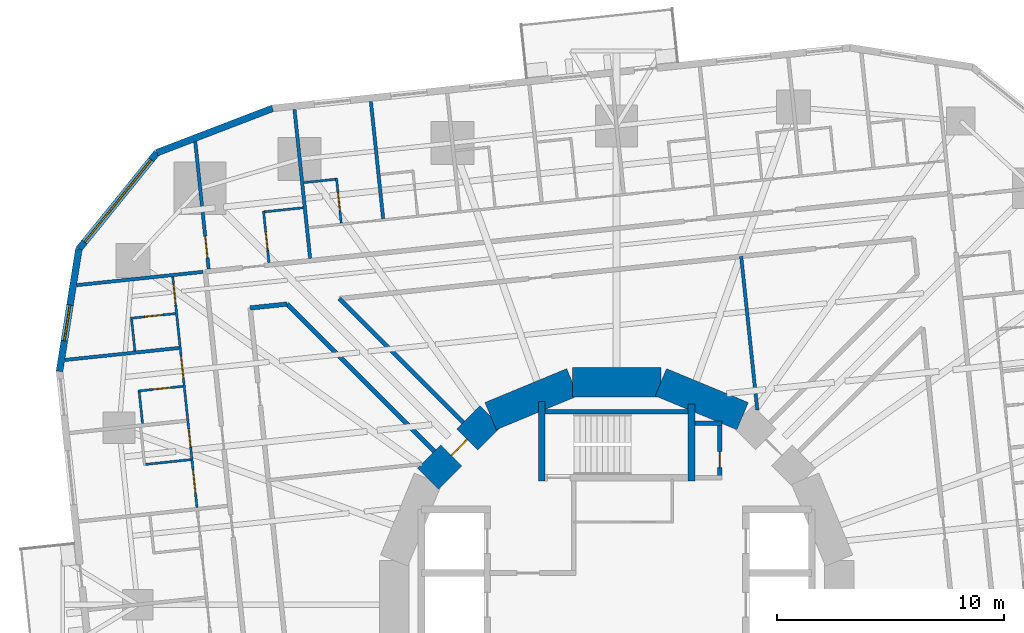
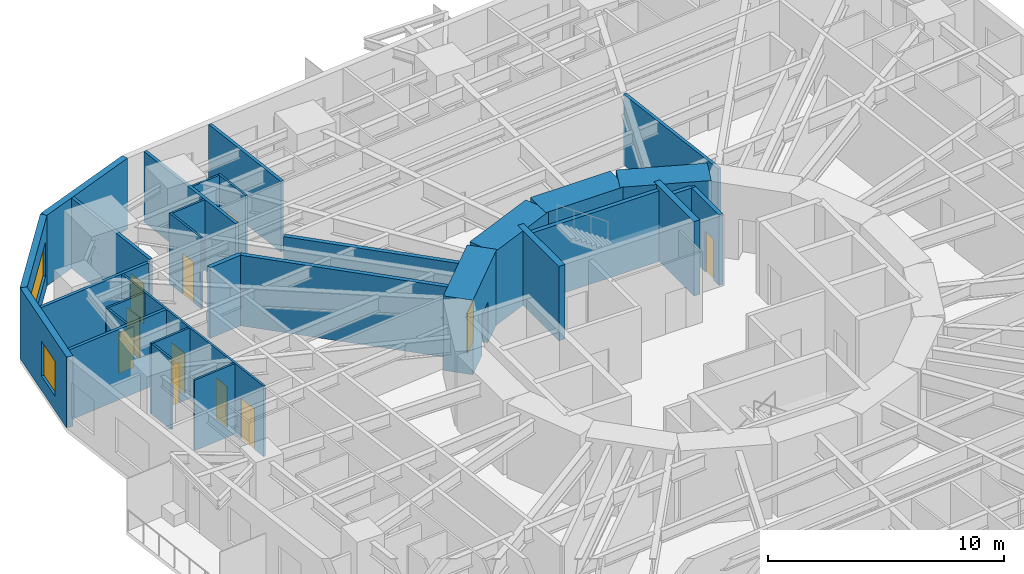
# One storey, part 10 of 15: 31 walls, 11 doors, 2 windows, 13 openings.
"""IFC4 building model written with IfcOpenShell, lengths in metres."""

from ifc_helpers import new_model, si_unit, direction, frame, frame_2d, origin, place, context, subcontext, project, spatial, rectangle, extrude, material, layer, layer_set, type_object, element, fill, save


model = new_model("IFC4")

# Units and contexts
model_context = context("Model", 3, precision=1e-05, world=origin(), true_north=direction((0.0, 1.0)))
body_context = subcontext(model_context, "Body", "Model", "MODEL_VIEW")
ifc_project = project(units=[si_unit("LENGTHUNIT", "METRE"), si_unit("AREAUNIT", "SQUARE_METRE"), si_unit("VOLUMEUNIT", "CUBIC_METRE"), si_unit("PLANEANGLEUNIT", "RADIAN"), si_unit("MASSUNIT", "GRAM", prefix="KILO")], contexts=[model_context])

# Site, building, storey
site_placement = place(None, origin())
site = spatial("IfcSite", under=ifc_project, at=site_placement, CompositionType="ELEMENT")
building_placement = place(site_placement, origin())
building = spatial("IfcBuilding", under=site, at=building_placement, Name="Nakasero Lantern House", CompositionType="ELEMENT")
storey_placement = place(building_placement, frame((0.0, 0.0, 64.35009765625)))
storey = spatial("IfcBuildingStorey", under=building, at=storey_placement, Name="L15", CompositionType="ELEMENT", Elevation=64.35009765625)

# Wall, openings, doors
ifc_material_1 = material(Name="Blockwork", Category="masonry")
ifc_layer_1 = layer(ifc_material_1, 0.10009765625)
ifc_layer_set_1 = layer_set([ifc_layer_1], Name="Cluster hall wall 100")
wall_type_1 = type_object("IfcWallType", Name="Cluster hall wall 100", PredefinedType="PARTITIONING", material=ifc_layer_set_1)
wall_1_placement = place(storey_placement, frame((-19.568603515625, 14.458740234375, 0.0), z_axis=(0.0, 0.0, 1.0), x_axis=(0.104541804513, -0.994520493056, 0.0)))
wall_1 = element("IfcWall", 1, at=wall_1_placement, inside=storey, type_object=wall_type_1, Name="Cluster hall wall L15 HW2-0", PredefinedType="PARTITIONING", context=body_context, shape_type="SweptSolid", body=[
    extrude(rectangle(XDim=10.2216796875, YDim=0.10009765625, at=frame_2d((5.11083984375, 0.0))), origin(), (0.0, 0.0, 1.0), 3.64990234375),
])
opening_1_placement = place(wall_1_placement, frame((8.57568359375, 0.0, 0.0)))
opening_1 = element("IfcOpeningElement", 2, at=opening_1_placement, cuts=wall_1, Name="Opening D03", PredefinedType="OPENING", context=body_context, shape_type="SweptSolid", body=[
    extrude(rectangle(XDim=1.0, YDim=2.10009765625, at=frame_2d((0.5, 1.050048828125))), frame((0.0, 0.070068359375, 0.0), z_axis=(0.0, -1.0, 0.0), x_axis=(1.0, 0.0, 0.0)), (0.0, 0.0, 1.0), 0.14013671875),
])
opening_2_placement = place(wall_1_placement, frame((6.75048828125, 0.0, 0.0)))
opening_2 = element("IfcOpeningElement", 3, at=opening_2_placement, cuts=wall_1, Name="Opening D02", PredefinedType="OPENING", context=body_context, shape_type="SweptSolid", body=[
    extrude(rectangle(XDim=0.800048828125, YDim=2.10009765625, at=frame_2d((0.39990234375, 1.050048828125))), frame((0.0, 0.070068359375, 0.0), z_axis=(0.0, -1.0, 0.0), x_axis=(1.0, 0.0, 0.0)), (0.0, 0.0, 1.0), 0.14013671875),
])
opening_3_placement = place(wall_1_placement, frame((0.300048828125, 0.0, 0.0)))
opening_3 = element("IfcOpeningElement", 4, at=opening_3_placement, cuts=wall_1, Name="Opening D01", PredefinedType="OPENING", context=body_context, shape_type="SweptSolid", body=[
    extrude(rectangle(XDim=0.949951171875, YDim=2.10009765625, at=frame_2d((0.47509765625, 1.050048828125))), frame((0.0, 0.070068359375, 0.0), z_axis=(0.0, -1.0, 0.0), x_axis=(1.0, 0.0, 0.0)), (0.0, 0.0, 1.0), 0.14013671875),
])
opening_4_placement = place(wall_1_placement, frame((3.525390625, 0.0, 0.0)))
opening_4 = element("IfcOpeningElement", 5, at=opening_4_placement, cuts=wall_1, Name="Opening D01", PredefinedType="OPENING", context=body_context, shape_type="SweptSolid", body=[
    extrude(rectangle(XDim=0.949951171875, YDim=2.10009765625, at=frame_2d((0.47509765625, 1.050048828125))), frame((0.0, 0.070068359375, 0.0), z_axis=(0.0, -1.0, 0.0), x_axis=(1.0, 0.0, 0.0)), (0.0, 0.0, 1.0), 0.14013671875),
])
ifc_material_2 = material(Name="Timber C24", Category="wood")
door_type_1 = type_object("IfcDoorType", Name="Bedroom door FD30S 950", OperationType="SINGLE_SWING_LEFT", PredefinedType="DOOR", material=ifc_material_2)
door_1_placement = place(opening_3_placement, origin())
door_1 = element("IfcDoor", 6, at=door_1_placement, inside=storey, type_object=door_type_1, Name="Door L15 D2-00", OperationType="SINGLE_SWING_LEFT", OverallHeight=2.10009765625, OverallWidth=0.949951171875, PredefinedType="DOOR", context=body_context, shape_type="SweptSolid", body=[
    extrude(rectangle(XDim=0.949951171875, YDim=2.10009765625, at=frame_2d((0.47509765625, 1.050048828125))), frame((0.0, 0.02490234375, 0.0), z_axis=(0.0, -1.0, 0.0), x_axis=(1.0, 0.0, 0.0)), (0.0, 0.0, 1.0), 0.050048828125),
])
fill(opening_3, door_1)
door_2_placement = place(opening_4_placement, origin())
door_2 = element("IfcDoor", 7, at=door_2_placement, inside=storey, type_object=door_type_1, Name="Door L15 D2-01", OperationType="SINGLE_SWING_LEFT", OverallHeight=2.10009765625, OverallWidth=0.949951171875, PredefinedType="DOOR", context=body_context, shape_type="SweptSolid", body=[
    extrude(rectangle(XDim=0.949951171875, YDim=2.10009765625, at=frame_2d((0.47509765625, 1.050048828125))), frame((0.0, 0.02490234375, 0.0), z_axis=(0.0, -1.0, 0.0), x_axis=(1.0, 0.0, 0.0)), (0.0, 0.0, 1.0), 0.050048828125),
])
fill(opening_4, door_2)
ifc_material_3 = material(Name="Timber C24", Category="wood")
door_type_2 = type_object("IfcDoorType", Name="En-suite door 800", OperationType="SINGLE_SWING_RIGHT", PredefinedType="DOOR", material=ifc_material_3)
door_3_placement = place(opening_2_placement, origin())
door_3 = element("IfcDoor", 8, at=door_3_placement, inside=storey, type_object=door_type_2, Name="Door L15 DSH2-0", OperationType="SINGLE_SWING_RIGHT", OverallHeight=2.10009765625, OverallWidth=0.800048828125, PredefinedType="DOOR", context=body_context, shape_type="SweptSolid", body=[
    extrude(rectangle(XDim=0.800048828125, YDim=2.10009765625, at=frame_2d((0.39990234375, 1.050048828125))), frame((0.0, 0.02490234375, 0.0), z_axis=(0.0, -1.0, 0.0), x_axis=(1.0, 0.0, 0.0)), (0.0, 0.0, 1.0), 0.050048828125),
])
fill(opening_2, door_3)
ifc_material_4 = material(Name="Timber C24", Category="wood")
door_type_3 = type_object("IfcDoorType", Name="Lounge door FD30S 1000", OperationType="SINGLE_SWING_LEFT", PredefinedType="DOOR", material=ifc_material_4)
door_4_placement = place(opening_1_placement, origin())
door_4 = element("IfcDoor", 9, at=door_4_placement, inside=storey, type_object=door_type_3, Name="Door L15 DH2-0", OperationType="SINGLE_SWING_RIGHT", OverallHeight=2.10009765625, OverallWidth=1.0, PredefinedType="DOOR", context=body_context, shape_type="SweptSolid", body=[
    extrude(rectangle(XDim=1.0, YDim=2.10009765625, at=frame_2d((0.5, 1.050048828125))), frame((0.0, 0.02490234375, 0.0), z_axis=(0.0, -1.0, 0.0), x_axis=(1.0, 0.0, 0.0)), (0.0, 0.0, 1.0), 0.050048828125),
])
fill(opening_1, door_4)

# Walls
ifc_material_5 = material(Name="Concrete C50/60", Category="concrete")
ifc_layer_2 = layer(ifc_material_5, 0.300048828125)
ifc_layer_set_2 = layer_set([ifc_layer_2], Name="Core inner wall 300")
wall_type_2 = type_object("IfcWallType", Name="Core inner wall 300", PredefinedType="SHEAR", material=ifc_layer_set_2)
wall_2_placement = place(storey_placement, frame((-3.300048828125, 5.449951171875, 0.0), z_axis=(0.0, 0.0, 1.0), x_axis=(0.0, 1.0, 0.0)))
element("IfcWall", 10, at=wall_2_placement, inside=storey, type_object=wall_type_2, Name="Core inner wall L15 SNW", PredefinedType="SHEAR", context=body_context, shape_type="SweptSolid", body=[
    extrude(rectangle(XDim=3.5, YDim=0.300048828125, at=frame_2d((1.75, 0.0))), origin(), (0.0, 0.0, 1.0), 3.849853515625),
])
wall_3_placement = place(storey_placement, frame((3.300048828125, 5.449951171875, 0.0), z_axis=(0.0, 0.0, 1.0), x_axis=(0.0, 1.0, 0.0)))
element("IfcWall", 11, at=wall_3_placement, inside=storey, type_object=wall_type_2, Name="Core inner wall L15 SNE", PredefinedType="SHEAR", context=body_context, shape_type="SweptSolid", body=[
    extrude(rectangle(XDim=3.400146484375, YDim=0.300048828125, at=frame_2d((1.7001953125, 0.0))), origin(), (0.0, 0.0, 1.0), 3.849853515625),
])
ifc_material_6 = material(Name="Concrete C50/60", Category="concrete")
ifc_layer_3 = layer(ifc_material_6, 1.300048828125)
ifc_layer_set_3 = layer_set([ifc_layer_3], Name="Core wall 1300")
wall_type_3 = type_object("IfcWallType", Name="Core wall 1300", PredefinedType="SHEAR", material=ifc_layer_set_3)
for number, where, z_axis, x_axis, name in (
    (12, (5.5556640625, 8.314697265625, 0.0), (0.0, 0.0, 1.0), (-0.923876507187, 0.382690736062, 0.0), "Core wall L15 facet 3"),
    (13, (1.950927734375, 9.807861328125, 0.0), (0.0, 0.0, 1.0), (-1.0, 0.0, 0.0), "Core wall L15 facet 4"),
    (14, (-1.950927734375, 9.807861328125, 0.0), (0.0, 0.0, 1.0), (-0.923876507187, -0.382690736062, 0.0), "Core wall L15 facet 5"),
):
    element("IfcWall", number, at=place(storey_placement, frame(where, z_axis=z_axis, x_axis=x_axis)), inside=storey, type_object=wall_type_3, Name=name, PredefinedType="SHEAR", context=body_context, shape_type="SweptSolid", body=[
        extrude(rectangle(XDim=3.90185546875, YDim=1.300048828125, at=frame_2d((1.950927734375, 0.0))), origin(), (0.0, 0.0, 1.0), 3.849853515625),
    ])

# Wall, opening, door
wall_4_placement = place(storey_placement, frame((-5.5556640625, 8.314697265625, 0.0), z_axis=(0.0, 0.0, 1.0), x_axis=(-0.707106781187, -0.707106781187, 0.0)))
wall_4 = element("IfcWall", 15, at=wall_4_placement, inside=storey, type_object=wall_type_3, Name="Core wall L15 facet 6", PredefinedType="SHEAR", context=body_context, shape_type="SweptSolid", body=[
    extrude(rectangle(XDim=3.90185546875, YDim=1.300048828125, at=frame_2d((1.950927734375, 0.0))), origin(), (0.0, 0.0, 1.0), 3.849853515625),
])
opening_5_placement = place(wall_4_placement, frame((1.450927734375, 0.0, 0.0)))
opening_5 = element("IfcOpeningElement", 16, at=opening_5_placement, cuts=wall_4, Name="Opening D05", PredefinedType="OPENING", context=body_context, shape_type="SweptSolid", body=[
    extrude(rectangle(XDim=1.0, YDim=2.10009765625, at=frame_2d((0.5, 1.050048828125))), frame((0.0, 0.669921875, 0.0), z_axis=(0.0, -1.0, 0.0), x_axis=(1.0, 0.0, 0.0)), (0.0, 0.0, 1.0), 1.340087890625),
])
ifc_material_7 = material(Name="Timber C24", Category="wood")
door_type_4 = type_object("IfcDoorType", Name="Core door FD60S 1000", OperationType="SINGLE_SWING_LEFT", PredefinedType="DOOR", material=ifc_material_7)
door_5_placement = place(opening_5_placement, origin())
door_5 = element("IfcDoor", 17, at=door_5_placement, inside=storey, type_object=door_type_4, Name="Door L15 D-CORE06", OperationType="SINGLE_SWING_LEFT", OverallHeight=2.10009765625, OverallWidth=1.0, PredefinedType="DOOR", context=body_context, shape_type="SweptSolid", body=[
    extrude(rectangle(XDim=1.0, YDim=2.10009765625, at=frame_2d((0.5, 1.050048828125))), frame((0.0, 0.02490234375, 0.0), z_axis=(0.0, -1.0, 0.0), x_axis=(1.0, 0.0, 0.0)), (0.0, 0.0, 1.0), 0.050048828125),
])
fill(opening_5, door_5)

# Walls
ifc_material_8 = material(Name="Blockwork", Category="masonry")
ifc_layer_4 = layer(ifc_material_8, 0.199951171875)
ifc_layer_set_4 = layer_set([ifc_layer_4], Name="Corridor wall 200")
wall_type_4 = type_object("IfcWallType", Name="Corridor wall 200", PredefinedType="PARTITIONING", material=ifc_layer_set_4)
wall_5_placement = place(storey_placement, frame((-14.52685546875, 13.254150390625, 0.0), z_axis=(0.0, 0.0, 1.0), x_axis=(-0.99452748025, -0.104475313001, 0.0)))
element("IfcWall", 18, at=wall_5_placement, inside=storey, type_object=wall_type_4, Name="Corridor wall L15 IW1-1", PredefinedType="PARTITIONING", context=body_context, shape_type="SweptSolid", body=[
    extrude(rectangle(XDim=1.63818359375, YDim=0.199951171875, at=frame_2d((0.819091796875, 0.0))), origin(), (0.0, 0.0, 1.0), 3.64990234375),
])
wall_6_placement = place(storey_placement, frame((-8.03125, 6.758544921875, 0.0), z_axis=(0.0, 0.0, 1.0), x_axis=(-0.707106781187, 0.707106781187, 0.0)))
element("IfcWall", 19, at=wall_6_placement, inside=storey, type_object=wall_type_4, Name="Corridor wall L15 PS06a", PredefinedType="PARTITIONING", context=body_context, shape_type="SweptSolid", body=[
    extrude(rectangle(XDim=9.186279296875, YDim=0.199951171875, at=frame_2d((4.59326171875, 0.0))), origin(), (0.0, 0.0, 1.0), 3.64990234375),
])
wall_7_placement = place(storey_placement, frame((-6.758544921875, 8.03125, 0.0), z_axis=(0.0, 0.0, 1.0), x_axis=(-0.707090986447, 0.707122575573, 0.0)))
element("IfcWall", 20, at=wall_7_placement, inside=storey, type_object=wall_type_4, Name="Corridor wall L15 PS06b", PredefinedType="PARTITIONING", context=body_context, shape_type="SweptSolid", body=[
    extrude(rectangle(XDim=7.728515625, YDim=0.199951171875, at=frame_2d((3.8642578125, 0.0))), origin(), (0.0, 0.0, 1.0), 3.64990234375),
])

# Wall, opening, door
ifc_material_9 = material(Name="Blockwork", Category="masonry")
ifc_layer_5 = layer(ifc_material_9, 0.10009765625)
ifc_layer_set_5 = layer_set([ifc_layer_5], Name="En-suite wall 100")
wall_type_5 = type_object("IfcWallType", Name="En-suite wall 100", PredefinedType="PARTITIONING", material=ifc_layer_set_5)
wall_8_placement = place(storey_placement, frame((-12.14111328125, 16.822998046875, 0.0), z_axis=(0.0, 0.0, 1.0), x_axis=(-0.104494148666, 0.99452550138, 0.0)))
wall_8 = element("IfcWall", 21, at=wall_8_placement, inside=storey, type_object=wall_type_5, Name="En-suite wall L15 ES1-07", PredefinedType="PARTITIONING", context=body_context, shape_type="SweptSolid", body=[
    extrude(rectangle(XDim=2.0, YDim=0.10009765625, at=frame_2d((1.0, 0.0))), origin(), (0.0, 0.0, 1.0), 3.64990234375),
])
opening_6_placement = place(wall_8_placement, frame((0.550048828125, 0.0, 0.0)))
opening_6 = element("IfcOpeningElement", 22, at=opening_6_placement, cuts=wall_8, Name="Opening D02", PredefinedType="OPENING", context=body_context, shape_type="SweptSolid", body=[
    extrude(rectangle(XDim=0.800048828125, YDim=2.10009765625, at=frame_2d((0.39990234375, 1.050048828125))), frame((0.0, 0.070068359375, 0.0), z_axis=(0.0, -1.0, 0.0), x_axis=(1.0, 0.0, 0.0)), (0.0, 0.0, 1.0), 0.14013671875),
])
door_6_placement = place(opening_6_placement, origin())
door_6 = element("IfcDoor", 23, at=door_6_placement, inside=storey, type_object=door_type_2, Name="Door L15 DE1-07", OperationType="SINGLE_SWING_LEFT", OverallHeight=2.10009765625, OverallWidth=0.800048828125, PredefinedType="DOOR", context=body_context, shape_type="SweptSolid", body=[
    extrude(rectangle(XDim=0.800048828125, YDim=2.10009765625, at=frame_2d((0.39990234375, 1.050048828125))), frame((0.0, 0.02490234375, 0.0), z_axis=(0.0, -1.0, 0.0), x_axis=(1.0, 0.0, 0.0)), (0.0, 0.0, 1.0), 0.050048828125),
])
fill(opening_6, door_6)

# Wall
wall_9_placement = place(storey_placement, frame((-12.394775390625, 18.757080078125, 0.0), z_axis=(0.0, 0.0, 1.0), x_axis=(-0.994529315664, -0.104457839748, 0.0)))
element("IfcWall", 24, at=wall_9_placement, inside=storey, type_object=wall_type_5, Name="En-suite wall L15 EE1-07", PredefinedType="PARTITIONING", context=body_context, shape_type="SweptSolid", body=[
    extrude(rectangle(XDim=1.39990234375, YDim=0.10009765625, at=frame_2d((0.699951171875, 0.0))), origin(), (0.0, 0.0, 1.0), 3.64990234375),
])

# Wall, opening, door
wall_10_placement = place(storey_placement, frame((-15.326416015625, 15.08056640625, 0.0), z_axis=(0.0, 0.0, 1.0), x_axis=(-0.104557694553, 0.994518822602, 0.0)))
wall_10 = element("IfcWall", 25, at=wall_10_placement, inside=storey, type_object=wall_type_5, Name="En-suite wall L15 ES1-08", PredefinedType="PARTITIONING", context=body_context, shape_type="SweptSolid", body=[
    extrude(rectangle(XDim=2.300048828125, YDim=0.10009765625, at=frame_2d((1.14990234375, 0.0))), origin(), (0.0, 0.0, 1.0), 3.64990234375),
])
opening_7_placement = place(wall_10_placement, frame((0.550048828125, 0.0, 0.0)))
opening_7 = element("IfcOpeningElement", 26, at=opening_7_placement, cuts=wall_10, Name="Opening D02", PredefinedType="OPENING", context=body_context, shape_type="SweptSolid", body=[
    extrude(rectangle(XDim=0.800048828125, YDim=2.10009765625, at=frame_2d((0.39990234375, 1.050048828125))), frame((0.0, 0.070068359375, 0.0), z_axis=(0.0, -1.0, 0.0), x_axis=(1.0, 0.0, 0.0)), (0.0, 0.0, 1.0), 0.14013671875),
])
door_7_placement = place(opening_7_placement, origin())
door_7 = element("IfcDoor", 27, at=door_7_placement, inside=storey, type_object=door_type_2, Name="Door L15 DE1-08", OperationType="SINGLE_SWING_LEFT", OverallHeight=2.10009765625, OverallWidth=0.800048828125, PredefinedType="DOOR", context=body_context, shape_type="SweptSolid", body=[
    extrude(rectangle(XDim=0.800048828125, YDim=2.10009765625, at=frame_2d((0.39990234375, 1.050048828125))), frame((0.0, 0.02490234375, 0.0), z_axis=(0.0, -1.0, 0.0), x_axis=(1.0, 0.0, 0.0)), (0.0, 0.0, 1.0), 0.050048828125),
])
fill(opening_7, door_7)

# Walls
wall_11_placement = place(storey_placement, frame((-13.8212890625, 17.501220703125, 0.0), z_axis=(0.0, 0.0, 1.0), x_axis=(-0.994519608382, -0.104550220202, 0.0)))
element("IfcWall", 28, at=wall_11_placement, inside=storey, type_object=wall_type_5, Name="En-suite wall L15 EE1-08", PredefinedType="PARTITIONING", context=body_context, shape_type="SweptSolid", body=[
    extrude(rectangle(XDim=1.699951171875, YDim=0.10009765625, at=frame_2d((0.85009765625, 0.0))), origin(), (0.0, 0.0, 1.0), 3.64990234375),
])
wall_12_placement = place(storey_placement, frame((-18.771484375, 6.397216796875, 0.0), z_axis=(0.0, 0.0, 1.0), x_axis=(-0.994523910136, -0.104509292252, 0.0)))
element("IfcWall", 29, at=wall_12_placement, inside=storey, type_object=wall_type_5, Name="En-suite wall L15 SS2-0", PredefinedType="PARTITIONING", context=body_context, shape_type="SweptSolid", body=[
    extrude(rectangle(XDim=2.10009765625, YDim=0.10009765625, at=frame_2d((1.050048828125, 0.0))), origin(), (0.0, 0.0, 1.0), 3.64990234375),
])

# Wall, opening, door
wall_13_placement = place(storey_placement, frame((-19.448486328125, 12.837158203125, 0.0), z_axis=(0.0, 0.0, 1.0), x_axis=(-0.99452550138, -0.104494148666, 0.0)))
wall_13 = element("IfcWall", 30, at=wall_13_placement, inside=storey, type_object=wall_type_5, Name="En-suite wall L15 ES2-00", PredefinedType="PARTITIONING", context=body_context, shape_type="SweptSolid", body=[
    extrude(rectangle(XDim=2.0, YDim=0.10009765625, at=frame_2d((1.0, 0.0))), origin(), (0.0, 0.0, 1.0), 3.64990234375),
])
opening_8_placement = place(wall_13_placement, frame((0.550048828125, 0.0, 0.0)))
opening_8 = element("IfcOpeningElement", 31, at=opening_8_placement, cuts=wall_13, Name="Opening D02", PredefinedType="OPENING", context=body_context, shape_type="SweptSolid", body=[
    extrude(rectangle(XDim=0.800048828125, YDim=2.10009765625, at=frame_2d((0.39990234375, 1.050048828125))), frame((0.0, 0.070068359375, 0.0), z_axis=(0.0, -1.0, 0.0), x_axis=(1.0, 0.0, 0.0)), (0.0, 0.0, 1.0), 0.14013671875),
])
door_8_placement = place(opening_8_placement, origin())
door_8 = element("IfcDoor", 32, at=door_8_placement, inside=storey, type_object=door_type_2, Name="Door L15 DE2-00", OperationType="SINGLE_SWING_LEFT", OverallHeight=2.10009765625, OverallWidth=0.800048828125, PredefinedType="DOOR", context=body_context, shape_type="SweptSolid", body=[
    extrude(rectangle(XDim=0.800048828125, YDim=2.10009765625, at=frame_2d((0.39990234375, 1.050048828125))), frame((0.0, 0.02490234375, 0.0), z_axis=(0.0, -1.0, 0.0), x_axis=(1.0, 0.0, 0.0)), (0.0, 0.0, 1.0), 0.050048828125),
])
fill(opening_8, door_8)

# Wall
wall_14_placement = place(storey_placement, frame((-21.382568359375, 12.58349609375, 0.0), z_axis=(0.0, 0.0, 1.0), x_axis=(0.104630319263, -0.994511184598, 0.0)))
element("IfcWall", 33, at=wall_14_placement, inside=storey, type_object=wall_type_5, Name="En-suite wall L15 EE2-00", PredefinedType="PARTITIONING", context=body_context, shape_type="SweptSolid", body=[
    extrude(rectangle(XDim=1.39990234375, YDim=0.10009765625, at=frame_2d((0.699951171875, 0.0))), origin(), (0.0, 0.0, 1.0), 3.64990234375),
])

# Wall, opening, door
wall_15_placement = place(storey_placement, frame((-19.111328125, 9.62939453125, 0.0), z_axis=(0.0, 0.0, 1.0), x_axis=(-0.99452550138, -0.104494148666, 0.0)))
wall_15 = element("IfcWall", 34, at=wall_15_placement, inside=storey, type_object=wall_type_5, Name="En-suite wall L15 ES2-01", PredefinedType="PARTITIONING", context=body_context, shape_type="SweptSolid", body=[
    extrude(rectangle(XDim=2.0, YDim=0.10009765625, at=frame_2d((1.0, 0.0))), origin(), (0.0, 0.0, 1.0), 3.64990234375),
])
opening_9_placement = place(wall_15_placement, frame((0.550048828125, 0.0, 0.0)))
opening_9 = element("IfcOpeningElement", 35, at=opening_9_placement, cuts=wall_15, Name="Opening D02", PredefinedType="OPENING", context=body_context, shape_type="SweptSolid", body=[
    extrude(rectangle(XDim=0.800048828125, YDim=2.10009765625, at=frame_2d((0.39990234375, 1.050048828125))), frame((0.0, 0.070068359375, 0.0), z_axis=(0.0, -1.0, 0.0), x_axis=(1.0, 0.0, 0.0)), (0.0, 0.0, 1.0), 0.14013671875),
])
door_9_placement = place(opening_9_placement, origin())
door_9 = element("IfcDoor", 36, at=door_9_placement, inside=storey, type_object=door_type_2, Name="Door L15 DE2-01", OperationType="SINGLE_SWING_LEFT", OverallHeight=2.10009765625, OverallWidth=0.800048828125, PredefinedType="DOOR", context=body_context, shape_type="SweptSolid", body=[
    extrude(rectangle(XDim=0.800048828125, YDim=2.10009765625, at=frame_2d((0.39990234375, 1.050048828125))), frame((0.0, 0.02490234375, 0.0), z_axis=(0.0, -1.0, 0.0), x_axis=(1.0, 0.0, 0.0)), (0.0, 0.0, 1.0), 0.050048828125),
])
fill(opening_9, door_9)

# Walls
wall_16_placement = place(storey_placement, frame((-21.04541015625, 9.3759765625, 0.0), z_axis=(0.0, 0.0, 1.0), x_axis=(0.104630319263, -0.994511184598, 0.0)))
element("IfcWall", 37, at=wall_16_placement, inside=storey, type_object=wall_type_5, Name="En-suite wall L15 EE2-01", PredefinedType="PARTITIONING", context=body_context, shape_type="SweptSolid", body=[
    extrude(rectangle(XDim=1.39990234375, YDim=0.10009765625, at=frame_2d((0.699951171875, 0.0))), origin(), (0.0, 0.0, 1.0), 3.64990234375),
])
ifc_material_10 = material(Name="Aluminium rainscreen on blockwork", Category="masonry")
ifc_layer_6 = layer(ifc_material_10, 0.300048828125)
ifc_layer_set_6 = layer_set([ifc_layer_6], Name="Facade wall 300")
wall_type_6 = type_object("IfcWallType", Name="Facade wall 300", PredefinedType="SOLIDWALL", material=ifc_layer_set_6)
wall_17_placement = place(storey_placement, frame((-15.170654296875, 21.884033203125, 0.0), z_axis=(0.0, 0.0, 1.0), x_axis=(-0.933583906079, -0.358358884793, 0.0)))
element("IfcWall", 38, at=wall_17_placement, inside=storey, type_object=wall_type_6, Name="Facade wall L15 FW1C1", PredefinedType="SOLIDWALL", context=body_context, shape_type="SweptSolid", body=[
    extrude(rectangle(XDim=5.461181640625, YDim=0.300048828125, at=frame_2d((2.73046875, 0.0))), origin(), (0.0, 0.0, 1.0), 3.64990234375),
])

# Wall, opening, window
wall_18_placement = place(storey_placement, frame((-20.26904296875, 19.927001953125, 0.0), z_axis=(0.0, 0.0, 1.0), x_axis=(-0.629334543442, -0.777134500863, 0.0)))
wall_18 = element("IfcWall", 39, at=wall_18_placement, inside=storey, type_object=wall_type_6, Name="Facade wall L15 FW1C2", PredefinedType="SOLIDWALL", context=body_context, shape_type="SweptSolid", body=[
    extrude(rectangle(XDim=5.4609375, YDim=0.300048828125, at=frame_2d((2.73046875, 0.0))), origin(), (0.0, 0.0, 1.0), 3.64990234375),
])
opening_10_placement = place(wall_18_placement, frame((0.39990234375, 0.0, 0.75)))
opening_10 = element("IfcOpeningElement", 40, at=opening_10_placement, cuts=wall_18, Name="Opening W246", PredefinedType="OPENING", context=body_context, shape_type="SweptSolid", body=[
    extrude(rectangle(XDim=4.660888671875, YDim=1.800048828125, at=frame_2d((2.33056640625, 0.89990234375))), frame((0.0, 0.169921875, 0.0), z_axis=(0.0, -1.0, 0.0), x_axis=(1.0, 0.0, 0.0)), (0.0, 0.0, 1.0), 0.340087890625),
])
ifc_material_11 = material(Name="Aluminium 6063-T6 and glass", Category="aluminium")
window_type_1 = type_object("IfcWindowType", Name="Corner window 4661x1800", PartitioningType="SINGLE_PANEL", PredefinedType="WINDOW", material=ifc_material_11)
window_1_placement = place(opening_10_placement, origin())
window_1 = element("IfcWindow", 41, at=window_1_placement, inside=storey, type_object=window_type_1, Name="Window L15 WC1", OverallHeight=1.800048828125, OverallWidth=4.660888671875, PartitioningType="SINGLE_PANEL", PredefinedType="WINDOW", context=body_context, shape_type="SweptSolid", body=[
    extrude(rectangle(XDim=4.660888671875, YDim=1.800048828125, at=frame_2d((2.33056640625, 0.89990234375))), frame((0.0, 0.030029296875, 0.0), z_axis=(0.0, -1.0, 0.0), x_axis=(1.0, 0.0, 0.0)), (0.0, 0.0, 1.0), 0.06005859375),
])
fill(opening_10, window_1)

wall_19_placement = place(storey_placement, frame((-23.705810546875, 15.68310546875, 0.0), z_axis=(0.0, 0.0, 1.0), x_axis=(-0.156419383601, -0.987690729142, 0.0)))
wall_19 = element("IfcWall", 42, at=wall_19_placement, inside=storey, type_object=wall_type_6, Name="Facade wall L15 FW1C3", PredefinedType="SOLIDWALL", context=body_context, shape_type="SweptSolid", body=[
    extrude(rectangle(XDim=5.461181640625, YDim=0.300048828125, at=frame_2d((2.73046875, 0.0))), origin(), (0.0, 0.0, 1.0), 3.64990234375),
])
opening_11_placement = place(wall_19_placement, frame((2.5, 0.0, 0.75)))
opening_11 = element("IfcOpeningElement", 43, at=opening_11_placement, cuts=wall_19, Name="Opening W01", PredefinedType="OPENING", context=body_context, shape_type="SweptSolid", body=[
    extrude(rectangle(XDim=1.60009765625, YDim=1.800048828125, at=frame_2d((0.800048828125, 0.89990234375))), frame((0.0, 0.169921875, 0.0), z_axis=(0.0, -1.0, 0.0), x_axis=(1.0, 0.0, 0.0)), (0.0, 0.0, 1.0), 0.340087890625),
])
ifc_material_12 = material(Name="Aluminium 6063-T6 and glass", Category="aluminium")
window_type_2 = type_object("IfcWindowType", Name="Bedroom window 1600x1800", PartitioningType="SINGLE_PANEL", PredefinedType="WINDOW", material=ifc_material_12)
window_2_placement = place(opening_11_placement, origin())
window_2 = element("IfcWindow", 44, at=window_2_placement, inside=storey, type_object=window_type_2, Name="Window L15 WN2-00", OverallHeight=1.800048828125, OverallWidth=1.60009765625, PartitioningType="SINGLE_PANEL", PredefinedType="WINDOW", context=body_context, shape_type="SweptSolid", body=[
    extrude(rectangle(XDim=1.60009765625, YDim=1.800048828125, at=frame_2d((0.800048828125, 0.89990234375))), frame((0.0, 0.030029296875, 0.0), z_axis=(0.0, -1.0, 0.0), x_axis=(1.0, 0.0, 0.0)), (0.0, 0.0, 1.0), 0.06005859375),
])
fill(opening_11, window_2)

# Wall, opening, door
ifc_material_13 = material(Name="Blockwork", Category="masonry")
ifc_layer_7 = layer(ifc_material_13, 0.199951171875)
ifc_layer_set_7 = layer_set([ifc_layer_7], Name="Fire lobby wall 200")
wall_type_7 = type_object("IfcWallType", Name="Fire lobby wall 200", PredefinedType="PARTITIONING", material=ifc_layer_set_7)
wall_20_placement = place(storey_placement, frame((4.550048828125, 5.60009765625, 0.0), z_axis=(0.0, 0.0, 1.0), x_axis=(0.0, 1.0, 0.0)))
wall_20 = element("IfcWall", 45, at=wall_20_placement, inside=storey, type_object=wall_type_7, Name="Fire lobby wall L15 W-RS1E", PredefinedType="PARTITIONING", context=body_context, shape_type="SweptSolid", body=[
    extrude(rectangle(XDim=2.39990234375, YDim=0.199951171875, at=frame_2d((1.199951171875, 0.0))), origin(), (0.0, 0.0, 1.0), 3.64990234375),
])
opening_12_placement = place(wall_20_placement, frame((0.449951171875, 0.0, 0.0)))
opening_12 = element("IfcOpeningElement", 46, at=opening_12_placement, cuts=wall_20, Name="Opening D06", PredefinedType="OPENING", context=body_context, shape_type="SweptSolid", body=[
    extrude(rectangle(XDim=0.699951171875, YDim=2.10009765625, at=frame_2d((0.35009765625, 1.050048828125))), frame((0.0, 0.119873046875, 0.0), z_axis=(0.0, -1.0, 0.0), x_axis=(1.0, 0.0, 0.0)), (0.0, 0.0, 1.0), 0.239990234375),
])
ifc_material_14 = material(Name="Steel S355", Category="steel")
door_type_5 = type_object("IfcDoorType", Name="Riser door FD60 700", OperationType="SINGLE_SWING_LEFT", PredefinedType="DOOR", material=ifc_material_14)
door_10_placement = place(opening_12_placement, origin())
door_10 = element("IfcDoor", 47, at=door_10_placement, inside=storey, type_object=door_type_5, Name="Door L15 D-RS1", OperationType="SINGLE_SWING_LEFT", OverallHeight=2.10009765625, OverallWidth=0.699951171875, PredefinedType="DOOR", context=body_context, shape_type="SweptSolid", body=[
    extrude(rectangle(XDim=0.699951171875, YDim=2.10009765625, at=frame_2d((0.35009765625, 1.050048828125))), frame((0.0, 0.02490234375, 0.0), z_axis=(0.0, -1.0, 0.0), x_axis=(1.0, 0.0, 0.0)), (0.0, 0.0, 1.0), 0.050048828125),
])
fill(opening_12, door_10)

# Walls
wall_21_placement = place(storey_placement, frame((3.449951171875, 8.0, 0.0), z_axis=(0.0, 0.0, 1.0), x_axis=(1.0, 0.0, 0.0)))
element("IfcWall", 48, at=wall_21_placement, inside=storey, type_object=wall_type_7, Name="Fire lobby wall L15 W-RS1N", PredefinedType="PARTITIONING", context=body_context, shape_type="SweptSolid", body=[
    extrude(rectangle(XDim=1.199951171875, YDim=0.199951171875, at=frame_2d((0.60009765625, 0.0))), origin(), (0.0, 0.0, 1.0), 3.64990234375),
])
wall_22_placement = place(storey_placement, frame((-3.300048828125, 8.5, 0.0), z_axis=(0.0, 0.0, 1.0), x_axis=(1.0, 0.0, 0.0)))
element("IfcWall", 49, at=wall_22_placement, inside=storey, type_object=wall_type_7, Name="Fire lobby wall L15 W-STN", PredefinedType="PARTITIONING", context=body_context, shape_type="SweptSolid", body=[
    extrude(rectangle(XDim=6.60009765625, YDim=0.199951171875, at=frame_2d((3.300048828125, 0.0))), origin(), (0.0, 0.0, 1.0), 3.64990234375),
])
ifc_material_15 = material(Name="Blockwork", Category="masonry")
ifc_layer_8 = layer(ifc_material_15, 0.14990234375)
ifc_layer_set_8 = layer_set([ifc_layer_8], Name="Party wall 150")
wall_type_8 = type_object("IfcWallType", Name="Party wall 150", PredefinedType="PARTITIONING", material=ifc_layer_set_8)
wall_23_placement = place(storey_placement, frame((-10.290771484375, 17.017578125, 0.0), z_axis=(0.0, 0.0, 1.0), x_axis=(-0.104513699976, 0.994523446942, 0.0)))
element("IfcWall", 50, at=wall_23_placement, inside=storey, type_object=wall_type_8, Name="Party wall L15 PW1-07", PredefinedType="PARTITIONING", context=body_context, shape_type="SweptSolid", body=[
    extrude(rectangle(XDim=5.199951171875, YDim=0.14990234375, at=frame_2d((2.60009765625, 0.0))), origin(), (0.0, 0.0, 1.0), 3.64990234375),
])
wall_24_placement = place(storey_placement, frame((-13.511474609375, 15.271240234375, 0.0), z_axis=(0.0, 0.0, 1.0), x_axis=(-0.104534592565, 0.994521251134, 0.0)))
element("IfcWall", 51, at=wall_24_placement, inside=storey, type_object=wall_type_8, Name="Party wall L15 PW1-08", PredefinedType="PARTITIONING", context=body_context, shape_type="SweptSolid", body=[
    extrude(rectangle(XDim=6.60009765625, YDim=0.14990234375, at=frame_2d((3.300048828125, 0.0))), origin(), (0.0, 0.0, 1.0), 3.64990234375),
])

# Wall, opening, door
wall_25_placement = place(storey_placement, frame((-17.9853515625, 14.801025390625, 0.0), z_axis=(0.0, 0.0, 1.0), x_axis=(-0.104520320471, 0.994522751177, 0.0)))
wall_25 = element("IfcWall", 52, at=wall_25_placement, inside=storey, type_object=wall_type_8, Name="Party wall L15 PC1", PredefinedType="PARTITIONING", context=body_context, shape_type="SweptSolid", body=[
    extrude(rectangle(XDim=5.64111328125, YDim=0.14990234375, at=frame_2d((2.820556640625, 0.0))), origin(), (0.0, 0.0, 1.0), 3.64990234375),
])
opening_13_placement = place(wall_25_placement, frame((0.5, 0.0, 0.0)))
opening_13 = element("IfcOpeningElement", 53, at=opening_13_placement, cuts=wall_25, Name="Opening D01", PredefinedType="OPENING", context=body_context, shape_type="SweptSolid", body=[
    extrude(rectangle(XDim=0.949951171875, YDim=2.10009765625, at=frame_2d((0.47509765625, 1.050048828125))), frame((0.0, 0.094970703125, 0.0), z_axis=(0.0, -1.0, 0.0), x_axis=(1.0, 0.0, 0.0)), (0.0, 0.0, 1.0), 0.18994140625),
])
door_11_placement = place(opening_13_placement, origin())
door_11 = element("IfcDoor", 54, at=door_11_placement, inside=storey, type_object=door_type_1, Name="Door L15 DC1", OperationType="SINGLE_SWING_LEFT", OverallHeight=2.10009765625, OverallWidth=0.949951171875, PredefinedType="DOOR", context=body_context, shape_type="SweptSolid", body=[
    extrude(rectangle(XDim=0.949951171875, YDim=2.10009765625, at=frame_2d((0.47509765625, 1.050048828125))), frame((0.0, 0.02490234375, 0.0), z_axis=(0.0, -1.0, 0.0), x_axis=(1.0, 0.0, 0.0)), (0.0, 0.0, 1.0), 0.050048828125),
])
fill(opening_13, door_11)

# Walls
wall_26_placement = place(storey_placement, frame((-18.23388671875, 14.674560546875, 0.0), z_axis=(0.0, 0.0, 1.0), x_axis=(-0.994520498284, -0.104541754786, 0.0)))
element("IfcWall", 55, at=wall_26_placement, inside=storey, type_object=wall_type_8, Name="Party wall L15 PW2-00", PredefinedType="PARTITIONING", context=body_context, shape_type="SweptSolid", body=[
    extrude(rectangle(XDim=5.597900390625, YDim=0.14990234375, at=frame_2d((2.798828125, 0.0))), origin(), (0.0, 0.0, 1.0), 3.64990234375),
])
wall_27_placement = place(storey_placement, frame((-19.2890625, 11.320556640625, 0.0), z_axis=(0.0, 0.0, 1.0), x_axis=(-0.994518658271, -0.104559257608, 0.0)))
element("IfcWall", 56, at=wall_27_placement, inside=storey, type_object=wall_type_8, Name="Party wall L15 PW2-01", PredefinedType="PARTITIONING", context=body_context, shape_type="SweptSolid", body=[
    extrude(rectangle(XDim=5.062255859375, YDim=0.14990234375, at=frame_2d((2.53125, 0.0))), origin(), (0.0, 0.0, 1.0), 3.64990234375),
])
wall_28_placement = place(storey_placement, frame((6.20263671875, 8.5869140625, 0.0), z_axis=(0.0, 0.0, 1.0), x_axis=(-0.104526123734, 0.99452214126, 0.0)))
element("IfcWall", 57, at=wall_28_placement, inside=storey, type_object=wall_type_8, Name="Party wall L15 IS2", PredefinedType="PARTITIONING", context=body_context, shape_type="SweptSolid", body=[
    extrude(rectangle(XDim=6.80859375, YDim=0.14990234375, at=frame_2d((3.404296875, 0.0))), origin(), (0.0, 0.0, 1.0), 3.64990234375),
])

save(model, "model.ifc")
